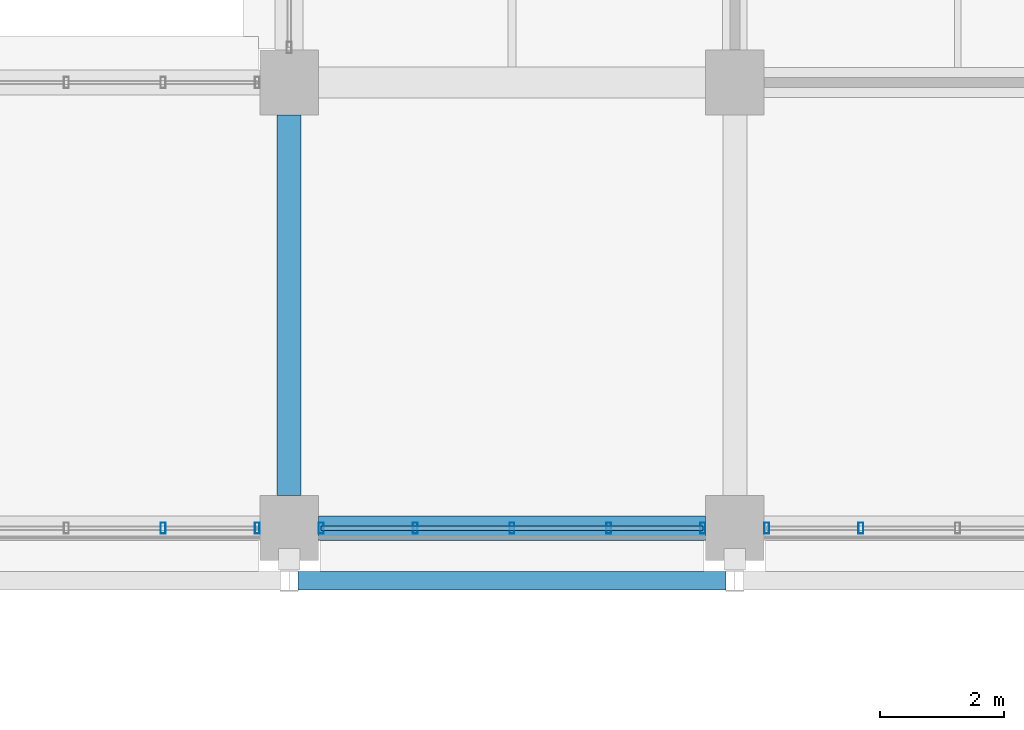
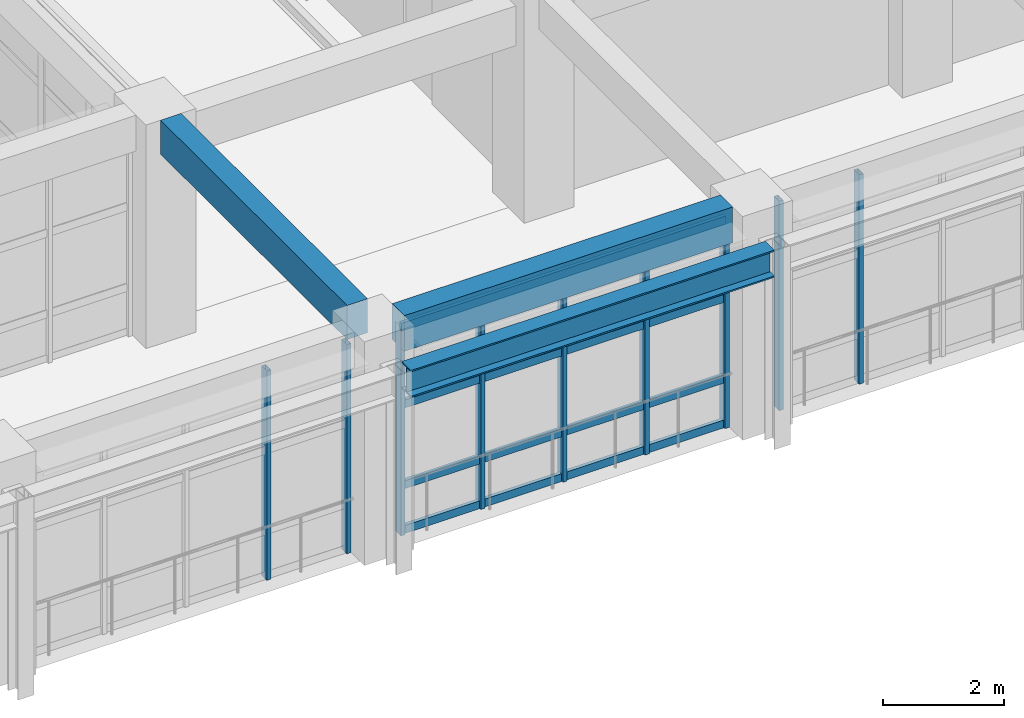
# One storey, part 95 of 171: 13 members, 3 beams, 3 elements without a shape of their own.
"""IFC4 building model written with IfcOpenShell, lengths in metres."""

from ifc_helpers import new_model, si_unit, direction, frame, origin, origin_2d, place, context, subcontext, project, spatial, rectangle, hollow_rectangle, i_section, extrude, material, material_profile, profile_set, type_object, element, aggregate, save


model = new_model("IFC4")

# Units and contexts
model_context = context("Model", 3, precision=1e-05, world=origin(), true_north=direction((0.0, 1.0)))
body_context = subcontext(model_context, "Body", "Model", "MODEL_VIEW")
ifc_project = project(units=[si_unit("LENGTHUNIT", "METRE"), si_unit("AREAUNIT", "SQUARE_METRE"), si_unit("VOLUMEUNIT", "CUBIC_METRE"), si_unit("PLANEANGLEUNIT", "RADIAN"), si_unit("MASSUNIT", "GRAM", prefix="KILO")], contexts=[model_context])

# Site, building, storey
site_placement = place(None, origin())
site = spatial("IfcSite", under=ifc_project, at=site_placement, CompositionType="ELEMENT")
building_placement = place(site_placement, origin())
building = spatial("IfcBuilding", under=site, at=building_placement, Name="Thalmaran Polytechnic", CompositionType="ELEMENT")
storey_placement = place(building_placement, frame((0.0, 0.0, 5.39990234375)))
storey = spatial("IfcBuildingStorey", under=building, at=storey_placement, Name="L01", CompositionType="ELEMENT", Elevation=5.39990234375)

# Beams
ifc_material_1 = material(Name="Steel S355", Category="steel")
ifc_material_profile_1 = material_profile(ifc_material_1, i_section(OverallWidth=0.300048828125, OverallDepth=0.550048828125, WebThickness=0.014892578125, FlangeThickness=0.029052734375, at=origin_2d()), Name="HEB 550")
ifc_profile_set_1 = profile_set([ifc_material_profile_1], Name="Steel S355")
beam_type_1 = type_object("IfcBeamType", Name="BM-CRN1", PredefinedType="BEAM", material=ifc_profile_set_1)
beam_1_placement = place(storey_placement, frame((129.739990234375, 49.550048828125, 3.72509765625), z_axis=(1.0, 0.0, 0.0), x_axis=(0.0, 1.0, 0.0)))
element("IfcBeam", 1, at=beam_1_placement, inside=storey, type_object=beam_type_1, Name="Workshop Crane Runway Beam Y7-18", PredefinedType="BEAM", context=body_context, shape_type="SweptSolid", body=[
    extrude(i_section(OverallWidth=0.300048828125, OverallDepth=0.550048828125, WebThickness=0.014892578125, FlangeThickness=0.029052734375, at=origin_2d()), origin(), (0.0, 0.0, 1.0), 6.919921875),
])
ifc_material_2 = material(Name="Concrete C40/50", Category="concrete")
ifc_material_profile_2 = material_profile(ifc_material_2, rectangle(XDim=0.389892578125, YDim=0.68505859375, at=origin_2d()), Name="RC 390x685")
ifc_profile_set_2 = profile_set([ifc_material_profile_2], Name="Concrete C40/50")
beam_type_2 = type_object("IfcBeamType", Name="BM-RC08", PredefinedType="BEAM", material=ifc_profile_set_2)
beam_2_placement = place(storey_placement, frame((129.60009765625, 50.925048828125, 4.15771484375), z_axis=(0.0, 1.0, 0.0), x_axis=(-1.0, 0.0, 0.0)))
element("IfcBeam", 2, at=beam_2_placement, inside=storey, type_object=beam_type_2, Name="Grid Beam B08 L01 Y(18,7)", PredefinedType="BEAM", context=body_context, shape_type="SweptSolid", body=[
    extrude(rectangle(XDim=0.389892578125, YDim=0.68505859375, at=origin_2d()), origin(), (0.0, 0.0, 1.0), 6.14990234375),
])
ifc_material_profile_3 = material_profile(ifc_material_2, rectangle(XDim=0.39990234375, YDim=0.719970703125, at=origin_2d()), Name="RC 400x720")
ifc_profile_set_3 = profile_set([ifc_material_profile_3], Name="Concrete C40/50")
beam_type_3 = type_object("IfcBeamType", Name="BM-SP01", PredefinedType="SPANDREL", material=ifc_profile_set_3)
beam_3_placement = place(storey_placement, frame((130.074951171875, 50.39990234375, 4.14013671875), z_axis=(1.0, 0.0, 0.0), x_axis=(0.0, 1.0, 0.0)))
element("IfcBeam", 3, at=beam_3_placement, inside=storey, type_object=beam_type_3, Name="Grid Beam SP01 L01 X(18,7)", PredefinedType="SPANDREL", context=body_context, shape_type="SweptSolid", body=[
    extrude(rectangle(XDim=0.39990234375, YDim=0.719970703125, at=origin_2d()), origin(), (0.0, 0.0, 1.0), 6.25),
])

# Curtain wall, members
ifc_material_3 = material(Name="Aluminium 6063-T6", Category="aluminium")
curtain_wall_type = type_object("IfcCurtainWallType", Name="CW-UC02", PredefinedType="USERDEFINED", material=ifc_material_3)
curtain_wall_1_placement = place(storey_placement, origin())
curtain_wall_1 = element("IfcCurtainWall", 4, at=curtain_wall_1_placement, inside=storey, type_object=curtain_wall_type, Name="Curtain Wall CW-L01-103", ObjectType="UNITISED CURTAIN WALL", PredefinedType="USERDEFINED")
ifc_material_profile_4 = material_profile(ifc_material_3, hollow_rectangle(XDim=0.080078125, YDim=0.179931640625, WallThickness=0.0048828125, at=origin_2d()), Name="RHS 180x80x5.0")
ifc_profile_set_4 = profile_set([ifc_material_profile_4], Name="Aluminium 6063-T6")
member_type_1 = type_object("IfcMemberType", Name="CW-MUL1", PredefinedType="MULLION", material=ifc_profile_set_4)
member_1_placement = place(storey_placement, frame((129.0849609375, 50.39990234375, 0.0), z_axis=(0.0, 0.0, 1.0), x_axis=(1.0, 0.0, 0.0)))
member_1 = element("IfcMember", 5, at=member_1_placement, type_object=member_type_1, Name="CW-L01-103 Mullion 1", PredefinedType="MULLION", context=body_context, shape_type="SweptSolid", body=[
    extrude(hollow_rectangle(XDim=0.080078125, YDim=0.179931640625, WallThickness=0.0048828125, at=origin_2d()), origin(), (0.0, 0.0, 1.0), 4.210205078125),
])
member_2_placement = place(storey_placement, frame((127.5625, 50.39990234375, 0.0), z_axis=(0.0, 0.0, 1.0), x_axis=(1.0, 0.0, 0.0)))
member_2 = element("IfcMember", 6, at=member_2_placement, type_object=member_type_1, Name="CW-L01-103 Mullion 2", PredefinedType="MULLION", context=body_context, shape_type="SweptSolid", body=[
    extrude(hollow_rectangle(XDim=0.080078125, YDim=0.179931640625, WallThickness=0.0048828125, at=origin_2d()), origin(), (0.0, 0.0, 1.0), 4.210205078125),
])
aggregate(curtain_wall_1, [member_1, member_2])

curtain_wall_2_placement = place(storey_placement, origin())
curtain_wall_2 = element("IfcCurtainWall", 7, at=curtain_wall_2_placement, inside=storey, type_object=curtain_wall_type, Name="Curtain Wall CW-L01-127", ObjectType="UNITISED CURTAIN WALL", PredefinedType="USERDEFINED")
member_3_placement = place(storey_placement, frame((138.83740234375, 50.39990234375, 0.0), z_axis=(0.0, 0.0, 1.0), x_axis=(1.0, 0.0, 0.0)))
member_3 = element("IfcMember", 8, at=member_3_placement, type_object=member_type_1, Name="CW-L01-127 Mullion 4", PredefinedType="MULLION", context=body_context, shape_type="SweptSolid", body=[
    extrude(hollow_rectangle(XDim=0.080078125, YDim=0.179931640625, WallThickness=0.0048828125, at=origin_2d()), origin(), (0.0, 0.0, 1.0), 4.210205078125),
])
member_4_placement = place(storey_placement, frame((137.31494140625, 50.39990234375, 0.0), z_axis=(0.0, 0.0, 1.0), x_axis=(1.0, 0.0, 0.0)))
member_4 = element("IfcMember", 9, at=member_4_placement, type_object=member_type_1, Name="CW-L01-127 Mullion 5", PredefinedType="MULLION", context=body_context, shape_type="SweptSolid", body=[
    extrude(hollow_rectangle(XDim=0.080078125, YDim=0.179931640625, WallThickness=0.0048828125, at=origin_2d()), origin(), (0.0, 0.0, 1.0), 4.210205078125),
])
aggregate(curtain_wall_2, [member_3, member_4])

curtain_wall_3_placement = place(storey_placement, origin())
curtain_wall_3 = element("IfcCurtainWall", 10, at=curtain_wall_3_placement, inside=storey, type_object=curtain_wall_type, Name="Curtain Wall CW-L01-128", ObjectType="UNITISED CURTAIN WALL", PredefinedType="USERDEFINED")
member_5_placement = place(storey_placement, frame((136.284912109375, 50.39990234375, 0.0), z_axis=(0.0, 0.0, 1.0), x_axis=(1.0, 0.0, 0.0)))
member_5 = element("IfcMember", 11, at=member_5_placement, type_object=member_type_1, Name="CW-L01-128 Mullion 1", PredefinedType="MULLION", context=body_context, shape_type="SweptSolid", body=[
    extrude(hollow_rectangle(XDim=0.080078125, YDim=0.179931640625, WallThickness=0.0048828125, at=origin_2d()), origin(), (0.0, 0.0, 1.0), 4.210205078125),
])
member_6_placement = place(storey_placement, frame((134.762451171875, 50.39990234375, 0.0), z_axis=(0.0, 0.0, 1.0), x_axis=(1.0, 0.0, 0.0)))
member_6 = element("IfcMember", 12, at=member_6_placement, type_object=member_type_1, Name="CW-L01-128 Mullion 2", PredefinedType="MULLION", context=body_context, shape_type="SweptSolid", body=[
    extrude(hollow_rectangle(XDim=0.080078125, YDim=0.179931640625, WallThickness=0.0048828125, at=origin_2d()), origin(), (0.0, 0.0, 1.0), 4.210205078125),
])
member_7_placement = place(storey_placement, frame((133.199951171875, 50.39990234375, 0.0), z_axis=(0.0, 0.0, 1.0), x_axis=(1.0, 0.0, 0.0)))
member_7 = element("IfcMember", 13, at=member_7_placement, type_object=member_type_1, Name="CW-L01-128 Mullion 3", PredefinedType="MULLION", context=body_context, shape_type="SweptSolid", body=[
    extrude(hollow_rectangle(XDim=0.080078125, YDim=0.179931640625, WallThickness=0.0048828125, at=origin_2d()), origin(), (0.0, 0.0, 1.0), 4.210205078125),
])
member_8_placement = place(storey_placement, frame((131.637451171875, 50.39990234375, 0.0), z_axis=(0.0, 0.0, 1.0), x_axis=(1.0, 0.0, 0.0)))
member_8 = element("IfcMember", 14, at=member_8_placement, type_object=member_type_1, Name="CW-L01-128 Mullion 4", PredefinedType="MULLION", context=body_context, shape_type="SweptSolid", body=[
    extrude(hollow_rectangle(XDim=0.080078125, YDim=0.179931640625, WallThickness=0.0048828125, at=origin_2d()), origin(), (0.0, 0.0, 1.0), 4.210205078125),
])
member_9_placement = place(storey_placement, frame((130.114990234375, 50.39990234375, 0.0), z_axis=(0.0, 0.0, 1.0), x_axis=(1.0, 0.0, 0.0)))
member_9 = element("IfcMember", 15, at=member_9_placement, type_object=member_type_1, Name="CW-L01-128 Mullion 5", PredefinedType="MULLION", context=body_context, shape_type="SweptSolid", body=[
    extrude(hollow_rectangle(XDim=0.080078125, YDim=0.179931640625, WallThickness=0.0048828125, at=origin_2d()), origin(), (0.0, 0.0, 1.0), 4.210205078125),
])
ifc_material_profile_5 = material_profile(ifc_material_3, hollow_rectangle(XDim=0.070068359375, YDim=0.159912109375, WallThickness=0.00390625, at=origin_2d()), Name="AL 160x70x4.0")
ifc_profile_set_5 = profile_set([ifc_material_profile_5], Name="Aluminium 6063-T6")
member_type_2 = type_object("IfcMemberType", Name="CW-TRN1", PredefinedType="USERDEFINED", material=ifc_profile_set_5)
member_10_placement = place(storey_placement, frame((136.284912109375, 50.39990234375, 0.06005859375), z_axis=(-1.0, 0.0, 0.0), x_axis=(0.0, -1.0, 0.0)))
member_10 = element("IfcMember", 16, at=member_10_placement, type_object=member_type_2, Name="CW-L01-128 Transom 1", ObjectType="TRANSOM", PredefinedType="USERDEFINED", context=body_context, shape_type="SweptSolid", body=[
    extrude(hollow_rectangle(XDim=0.070068359375, YDim=0.159912109375, WallThickness=0.00390625, at=origin_2d()), origin(), (0.0, 0.0, 1.0), 6.169921875),
])
member_11_placement = place(storey_placement, frame((136.284912109375, 50.39990234375, 0.960205078125), z_axis=(-1.0, 0.0, 0.0), x_axis=(0.0, -1.0, 0.0)))
member_11 = element("IfcMember", 17, at=member_11_placement, type_object=member_type_2, Name="CW-L01-128 Transom 2", ObjectType="TRANSOM", PredefinedType="USERDEFINED", context=body_context, shape_type="SweptSolid", body=[
    extrude(hollow_rectangle(XDim=0.070068359375, YDim=0.159912109375, WallThickness=0.00390625, at=origin_2d()), origin(), (0.0, 0.0, 1.0), 6.169921875),
])
member_12_placement = place(storey_placement, frame((136.284912109375, 50.39990234375, 2.585205078125), z_axis=(-1.0, 0.0, 0.0), x_axis=(0.0, -1.0, 0.0)))
member_12 = element("IfcMember", 18, at=member_12_placement, type_object=member_type_2, Name="CW-L01-128 Transom 3", ObjectType="TRANSOM", PredefinedType="USERDEFINED", context=body_context, shape_type="SweptSolid", body=[
    extrude(hollow_rectangle(XDim=0.070068359375, YDim=0.159912109375, WallThickness=0.00390625, at=origin_2d()), origin(), (0.0, 0.0, 1.0), 6.169921875),
])
member_13_placement = place(storey_placement, frame((136.284912109375, 50.39990234375, 4.150146484375), z_axis=(-1.0, 0.0, 0.0), x_axis=(0.0, -1.0, 0.0)))
member_13 = element("IfcMember", 19, at=member_13_placement, type_object=member_type_2, Name="CW-L01-128 Transom 4", ObjectType="TRANSOM", PredefinedType="USERDEFINED", context=body_context, shape_type="SweptSolid", body=[
    extrude(hollow_rectangle(XDim=0.070068359375, YDim=0.159912109375, WallThickness=0.00390625, at=origin_2d()), origin(), (0.0, 0.0, 1.0), 6.169921875),
])
aggregate(curtain_wall_3, [member_5, member_6, member_7, member_8, member_9, member_10, member_11, member_12, member_13])

save(model, "model.ifc")
